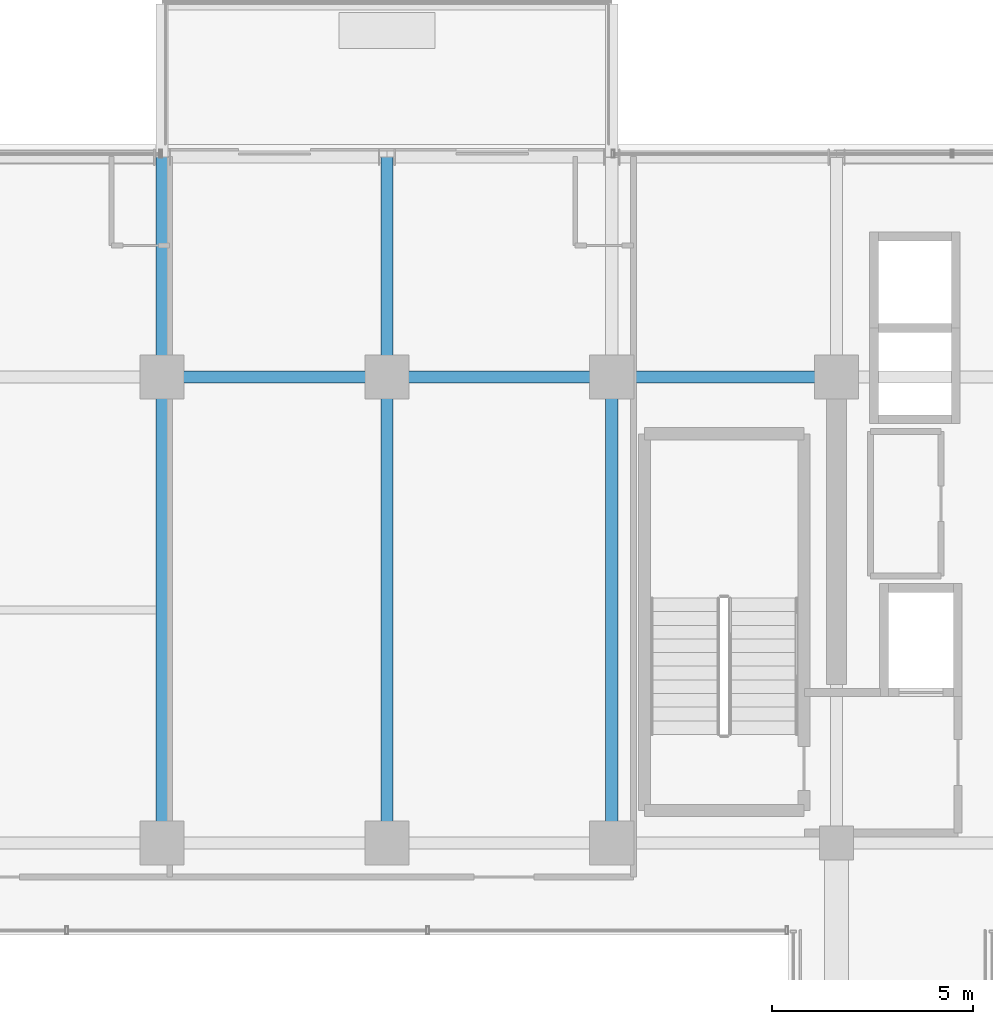
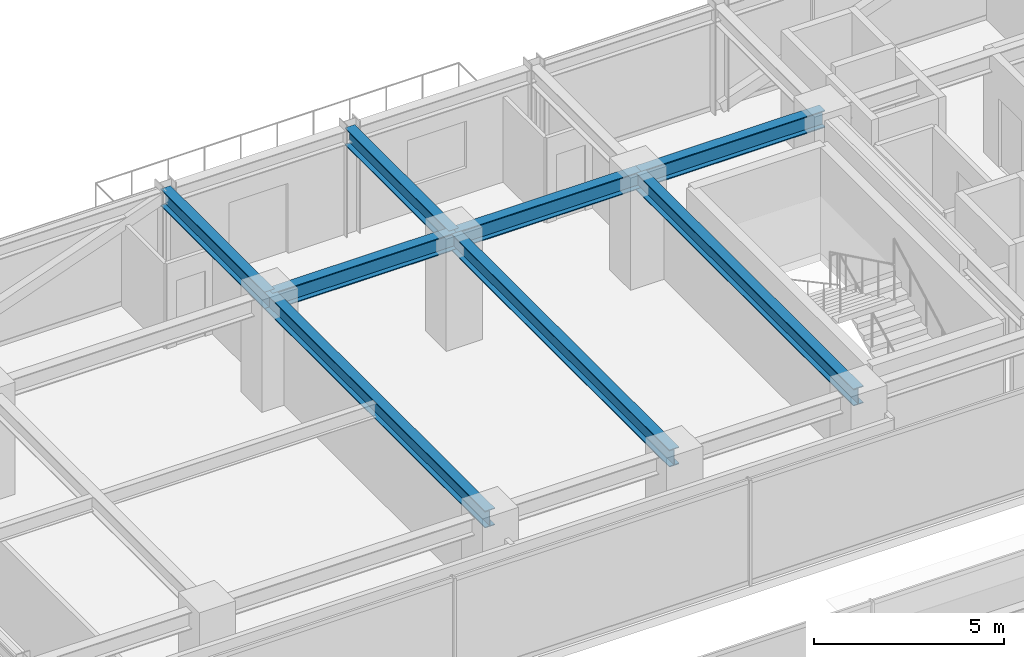
# One storey, part 25 of 43: 8 beams.
"""IFC4 building model written with IfcOpenShell, lengths in metres."""

from ifc_helpers import new_model, si_unit, direction, frame, origin, origin_2d, place, context, subcontext, project, spatial, i_section, extrude, source, transform, mapped, material, material_profile, profile_set, type_object, element, save


model = new_model("IFC4")

# Units and contexts
model_context = context("Model", 3, precision=1e-05, world=origin(), true_north=direction((0.0, 1.0)))
body_context = subcontext(model_context, "Body", "Model", "MODEL_VIEW")
ifc_project = project(units=[si_unit("LENGTHUNIT", "METRE"), si_unit("AREAUNIT", "SQUARE_METRE"), si_unit("VOLUMEUNIT", "CUBIC_METRE"), si_unit("PLANEANGLEUNIT", "RADIAN"), si_unit("MASSUNIT", "GRAM", prefix="KILO")], contexts=[model_context])

# Site, building, storey
site_placement = place(None, origin())
site = spatial("IfcSite", under=ifc_project, at=site_placement, CompositionType="ELEMENT")
building_placement = place(site_placement, origin())
building = spatial("IfcBuilding", under=site, at=building_placement, Name="Nahalor Promenade Grand Hotel", CompositionType="ELEMENT")
storey_placement = place(building_placement, frame((0.0, 0.0, 181.85009765625)))
storey = spatial("IfcBuildingStorey", under=building, at=storey_placement, Name="L46", CompositionType="ELEMENT", Elevation=181.85009765625)

# Beams
ifc_material = material(Name="Steel S355JR", Category="steel")
ifc_material_profile = material_profile(ifc_material, i_section(OverallWidth=0.3, OverallDepth=0.55, WebThickness=0.015, FlangeThickness=0.029, at=origin_2d()), Name="HEB 550")
ifc_profile_set = profile_set([ifc_material_profile], Name="Steel S355JR")
beam_type = type_object("IfcBeamType", Name="Beam-Girder-HEB550", PredefinedType="BEAM", material=ifc_profile_set)
shared_shape_1 = source(origin(), body_context, "Body", "SweptSolid", [
    extrude(i_section(OverallWidth=0.3, OverallDepth=0.55, WebThickness=0.015, FlangeThickness=0.029, at=origin_2d()), origin(), (0.0, 0.0, 1.0), 5.599853515625),
])
for number, where, z_axis, x_axis, name in (
    (1, (-8.39990234375, 17.0, 3.114990234375), (1.0, 0.0, 0.0), (0.0, 1.0, 0.0), "BM-L46-GX-3-2"),
    (2, (2.800048828125, 17.0, 3.114990234375), (1.0, 0.0, 0.0), (0.0, 1.0, 0.0), "BM-L46-GX-3-4"),
):
    element("IfcBeam", number, at=place(storey_placement, frame(where, z_axis=z_axis, x_axis=x_axis)), inside=storey, type_object=beam_type, Name=name, PredefinedType="BEAM", context=body_context, shape_type="MappedRepresentation", body=[
        mapped(shared_shape_1, transform((0.0, 0.0, 0.0), scale=1.0)),
    ])
shared_shape_2 = source(origin(), body_context, "Body", "SweptSolid", [
    extrude(i_section(OverallWidth=0.3, OverallDepth=0.55, WebThickness=0.015, FlangeThickness=0.029, at=origin_2d()), origin(), (0.0, 0.0, 1.0), 5.60009765625),
])
beam_placement = place(storey_placement, frame((-2.800048828125, 17.0, 3.114990234375), z_axis=(1.0, 0.0, 0.0), x_axis=(0.0, 1.0, 0.0)))
element("IfcBeam", 3, at=beam_placement, inside=storey, type_object=beam_type, Name="BM-L46-GX-3-3", PredefinedType="BEAM", context=body_context, shape_type="MappedRepresentation", body=[
    mapped(shared_shape_2, transform((0.0, 0.0, 0.0), scale=1.0)),
])
shared_shape_3 = source(origin(), body_context, "Body", "SweptSolid", [
    extrude(i_section(OverallWidth=0.3, OverallDepth=0.55, WebThickness=0.015, FlangeThickness=0.029, at=origin_2d()), origin(), (0.0, 0.0, 1.0), 11.60009765625),
])
for number, where, z_axis, x_axis, name in (
    (4, (-8.39990234375, 5.39990234375, 3.114990234375), (0.0, 1.0, 0.0), (-1.0, 0.0, 0.0), "BM-L46-GY-1-3"),
    (5, (-2.800048828125, 5.39990234375, 3.114990234375), (0.0, 1.0, 0.0), (-1.0, 0.0, 0.0), "BM-L46-GY-2-3"),
    (6, (2.800048828125, 5.39990234375, 3.114990234375), (0.0, 1.0, 0.0), (-1.0, 0.0, 0.0), "BM-L46-GY-3-3"),
):
    element("IfcBeam", number, at=place(storey_placement, frame(where, z_axis=z_axis, x_axis=x_axis)), inside=storey, type_object=beam_type, Name=name, PredefinedType="BEAM", context=body_context, shape_type="MappedRepresentation", body=[
        mapped(shared_shape_3, transform((0.0, 0.0, 0.0), scale=1.0)),
    ])
shared_shape_4 = source(origin(), body_context, "Body", "SweptSolid", [
    extrude(i_section(OverallWidth=0.3, OverallDepth=0.55, WebThickness=0.015, FlangeThickness=0.029, at=origin_2d()), origin(), (0.0, 0.0, 1.0), 5.47998046875),
])
for number, where, z_axis, x_axis, name in (
    (7, (-8.39990234375, 17.0, 3.114990234375), (0.0, 1.0, 0.0), (-1.0, 0.0, 0.0), "BM-L46-GY-1-4"),
    (8, (-2.800048828125, 17.0, 3.114990234375), (0.0, 1.0, 0.0), (-1.0, 0.0, 0.0), "BM-L46-GY-2-4"),
):
    element("IfcBeam", number, at=place(storey_placement, frame(where, z_axis=z_axis, x_axis=x_axis)), inside=storey, type_object=beam_type, Name=name, PredefinedType="BEAM", context=body_context, shape_type="MappedRepresentation", body=[
        mapped(shared_shape_4, transform((0.0, 0.0, 0.0), scale=1.0)),
    ])

save(model, "model.ifc")
